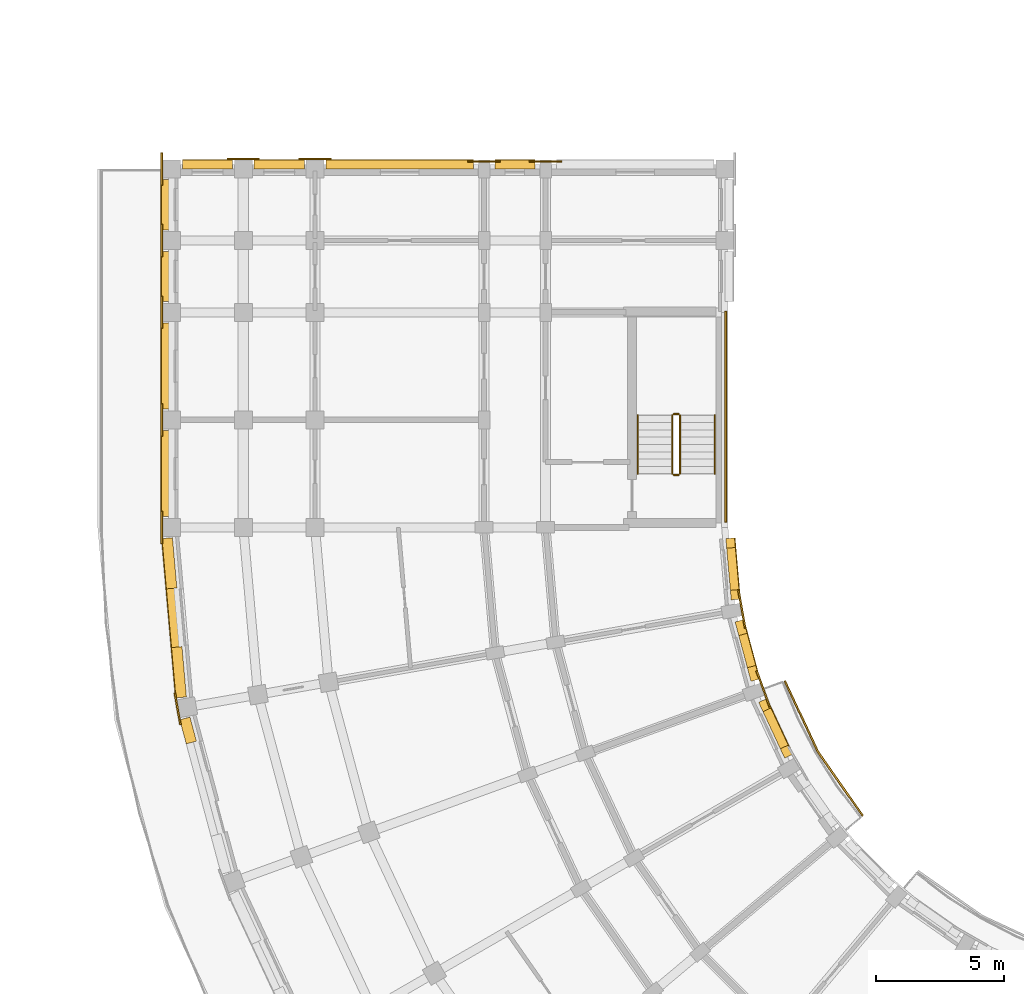
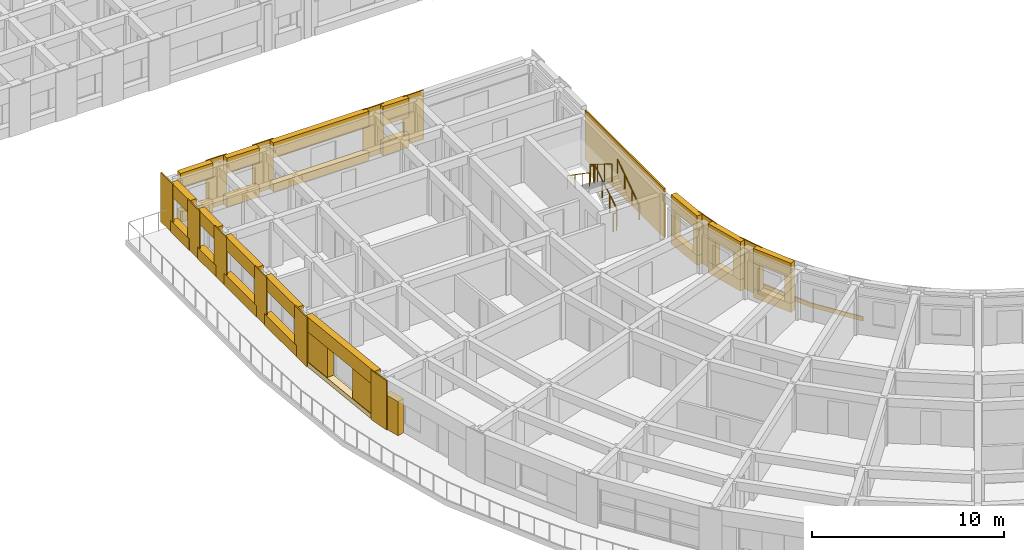
# One storey, part 44 of 57: 47 coverings, 6 railings.
"""IFC4 building model written with IfcOpenShell, lengths in metres."""

from ifc_helpers import new_model, si_unit, direction, frame, origin, origin_2d, place, context, subcontext, project, spatial, polyline, circle, outline, extrude, material, layer, layer_set, type_object, element, save


model = new_model("IFC4")

# Units and contexts
model_context = context("Model", 3, precision=1e-05, world=origin(), true_north=direction((0.0, 1.0)))
body_context = subcontext(model_context, "Body", "Model", "MODEL_VIEW")
ifc_project = project(units=[si_unit("LENGTHUNIT", "METRE"), si_unit("AREAUNIT", "SQUARE_METRE"), si_unit("VOLUMEUNIT", "CUBIC_METRE"), si_unit("PLANEANGLEUNIT", "RADIAN"), si_unit("MASSUNIT", "GRAM", prefix="KILO")], contexts=[model_context])

# Site, building, storey
site_placement = place(None, origin())
site = spatial("IfcSite", under=ifc_project, at=site_placement, CompositionType="ELEMENT")
building_placement = place(site_placement, origin())
building = spatial("IfcBuilding", under=site, at=building_placement, Name="Kiranvali Square Residences", CompositionType="ELEMENT")
storey_placement = place(building_placement, frame((0.0, 0.0, 24.449951171875)))
storey = spatial("IfcBuildingStorey", under=building, at=storey_placement, Name="L07", CompositionType="ELEMENT", Elevation=24.449951171875)

# Coverings
ifc_material_1 = material(Name="Carved Porbandar limestone classical entablature and cornice", Category="masonry")
ifc_layer_1 = layer(ifc_material_1, 0.06201171875)
ifc_layer_set_1 = layer_set([ifc_layer_1], Name="Carved Porbandar limestone classical entablature and cornice")
covering_type_1 = type_object("IfcCoveringType", Name="COV-CLAD-GBAL", PredefinedType="CLADDING", material=ifc_layer_set_1)
covering_1_placement = place(storey_placement, frame((0.0, 0.0, -0.219970703125)))
element("IfcCovering", 1, at=covering_1_placement, inside=storey, type_object=covering_type_1, Name="Block C L07 garden balcony limestone fascia 2", PredefinedType="CLADDING", context=body_context, shape_type="SweptSolid", body=[
    extrude(outline(polyline([(34.8095703125, 36.964111328125), (33.061767578125, 39.4599609375), (31.774169921875, 42.221435546875), (31.710205078125, 42.1982421875), (33.0029296875, 39.426025390625), (34.757568359375, 36.92041015625), (34.8095703125, 36.964111328125)])), origin(), (0.0, 0.0, 1.0), 0.27001953125),
])
ifc_material_2 = material(Name="Honed Porbandar limestone ashlar facade cladding", Category="masonry")
ifc_layer_2 = layer(ifc_material_2, 0.3798828125)
ifc_layer_set_2 = layer_set([ifc_layer_2], Name="Honed Porbandar limestone ashlar facade cladding")
covering_type_2 = type_object("IfcCoveringType", Name="COV-CLAD-JAMB", PredefinedType="CLADDING", material=ifc_layer_set_2)
covering_2_placement = place(storey_placement, origin())
element("IfcCovering", 2, at=covering_2_placement, inside=storey, type_object=covering_type_2, Name="L07 deep limestone window jamb reveal C-L07-CRV-07.R", PredefinedType="CLADDING", context=body_context, shape_type="SweptSolid", body=[
    extrude(outline(polyline([(8.7685546875, 39.8583984375), (8.516845703125, 40.798095703125), (8.121337890625, 40.692138671875), (8.373046875, 39.752197265625), (8.7685546875, 39.8583984375)])), origin(), (0.0, 0.0, 1.0), 2.179931640625),
])
covering_3_placement = place(storey_placement, frame((0.0, 0.0, 0.31201171875)))
element("IfcCovering", 3, at=covering_3_placement, inside=storey, type_object=covering_type_2, Name="L07 deep limestone window jamb reveal C-L07-CRV-08.L", PredefinedType="CLADDING", context=body_context, shape_type="SweptSolid", body=[
    extrude(outline(polyline([(8.37841796875, 41.5830078125), (8.20654296875, 43.546630859375), (7.798583984375, 43.510986328125), (7.970458984375, 41.54736328125), (8.37841796875, 41.5830078125)])), origin(), (0.0, 0.0, 1.0), 1.900146484375),
])
covering_4_placement = place(storey_placement, frame((0.0, 0.0, 0.31201171875)))
element("IfcCovering", 4, at=covering_4_placement, inside=storey, type_object=covering_type_2, Name="L07 deep limestone window jamb reveal C-L07-CRV-08.R", PredefinedType="CLADDING", context=body_context, shape_type="SweptSolid", body=[
    extrude(outline(polyline([(8.006103515625, 45.837890625), (7.83447265625, 47.801513671875), (7.426513671875, 47.765869140625), (7.59814453125, 45.80224609375), (8.006103515625, 45.837890625)])), origin(), (0.0, 0.0, 1.0), 1.900146484375),
])
covering_5_placement = place(storey_placement, frame((0.0, 0.0, 0.572021484375)))
element("IfcCovering", 5, at=covering_5_placement, inside=storey, type_object=covering_type_2, Name="L07 deep limestone window jamb reveal C-L07-GDN-06.L", PredefinedType="CLADDING", context=body_context, shape_type="SweptSolid", body=[
    extrude(outline(polyline([(32.041015625, 39.342529296875), (31.87255859375, 39.70361328125), (31.564697265625, 39.56005859375), (31.733154296875, 39.198974609375), (32.041015625, 39.342529296875)])), origin(), (0.0, 0.0, 1.0), 1.650146484375),
])
covering_6_placement = place(storey_placement, frame((0.0, 0.0, 0.572021484375)))
element("IfcCovering", 6, at=covering_6_placement, inside=storey, type_object=covering_type_2, Name="L07 deep limestone window jamb reveal C-L07-GDN-06.R", PredefinedType="CLADDING", context=body_context, shape_type="SweptSolid", body=[
    extrude(outline(polyline([(31.1962890625, 41.15380859375), (31.02783203125, 41.514892578125), (30.72021484375, 41.37158203125), (30.888671875, 41.01025390625), (31.1962890625, 41.15380859375)])), origin(), (0.0, 0.0, 1.0), 1.650146484375),
])
covering_7_placement = place(storey_placement, frame((0.0, 0.0, 0.72216796875)))
element("IfcCovering", 7, at=covering_7_placement, inside=storey, type_object=covering_type_2, Name="L07 deep limestone window jamb reveal C-L07-GDN-07.L", PredefinedType="CLADDING", context=body_context, shape_type="SweptSolid", body=[
    extrude(outline(polyline([(30.748291015625, 42.282958984375), (30.6064453125, 42.812744140625), (30.2783203125, 42.72509765625), (30.42041015625, 42.195068359375), (30.748291015625, 42.282958984375)])), origin(), (0.0, 0.0, 1.0), 1.5),
])
covering_8_placement = place(storey_placement, frame((0.0, 0.0, 0.72216796875)))
element("IfcCovering", 8, at=covering_8_placement, inside=storey, type_object=covering_type_2, Name="L07 deep limestone window jamb reveal C-L07-GDN-07.R", PredefinedType="CLADDING", context=body_context, shape_type="SweptSolid", body=[
    extrude(outline(polyline([(30.269775390625, 44.068603515625), (30.1279296875, 44.598388671875), (29.800048828125, 44.510498046875), (29.94189453125, 43.980712890625), (30.269775390625, 44.068603515625)])), origin(), (0.0, 0.0, 1.0), 1.5),
])
covering_9_placement = place(storey_placement, frame((0.0, 0.0, 0.6220703125)))
element("IfcCovering", 9, at=covering_9_placement, inside=storey, type_object=covering_type_2, Name="L07 deep limestone window jamb reveal C-L07-GDN-08.L", PredefinedType="CLADDING", context=body_context, shape_type="SweptSolid", body=[
    extrude(outline(polyline([(29.986083984375, 45.4033203125), (29.953369140625, 45.775390625), (29.615234375, 45.745849609375), (29.647705078125, 45.373779296875), (29.986083984375, 45.4033203125)])), origin(), (0.0, 0.0, 1.0), 1.60009765625),
])
covering_10_placement = place(storey_placement, frame((0.0, 0.0, 0.6220703125)))
element("IfcCovering", 10, at=covering_10_placement, inside=storey, type_object=covering_type_2, Name="L07 deep limestone window jamb reveal C-L07-GDN-08.R", PredefinedType="CLADDING", context=body_context, shape_type="SweptSolid", body=[
    extrude(outline(polyline([(29.8095703125, 47.419189453125), (29.777099609375, 47.791259765625), (29.43896484375, 47.76171875), (29.471435546875, 47.3896484375), (29.8095703125, 47.419189453125)])), origin(), (0.0, 0.0, 1.0), 1.60009765625),
])
ifc_layer_3 = layer(ifc_material_2, 0.06494140625)
ifc_layer_set_3 = layer_set([ifc_layer_3], Name="Honed Porbandar limestone ashlar facade cladding")
covering_type_3 = type_object("IfcCoveringType", Name="COV-CLAD-PIER", PredefinedType="CLADDING", material=ifc_layer_set_3)
covering_11_placement = place(storey_placement, frame((0.0, 0.0, 0.005126953125)))
element("IfcCovering", 11, at=covering_11_placement, inside=storey, type_object=covering_type_3, Name="L07 Classical limestone corner pilaster CLAD-PR-C-L07-A08", PredefinedType="CLADDING", context=body_context, shape_type="SweptSolid", body=[
    extrude(outline(polyline([(7.892822265625, 41.732421875), (8.111572265625, 40.49169921875), (8.177978515625, 40.50341796875), (7.959228515625, 41.744140625), (7.892822265625, 41.732421875)])), origin(), (0.0, 0.0, 1.0), 3.139892578125),
])
covering_12_placement = place(storey_placement, frame((0.0, 0.0, 0.005126953125)))
element("IfcCovering", 12, at=covering_12_placement, inside=storey, type_object=covering_type_3, Name="L07 Classical limestone corner pilaster CLAD-PR-C-L07-A09", PredefinedType="CLADDING", context=body_context, shape_type="SweptSolid", body=[
    extrude(outline(polyline([(7.382080078125, 48.830078125), (7.382080078125, 47.570068359375), (7.449462890625, 47.570068359375), (7.449462890625, 48.830078125), (7.382080078125, 48.830078125)])), origin(), (0.0, 0.0, 1.0), 3.139892578125),
])
covering_13_placement = place(storey_placement, frame((0.0, 0.0, 0.005126953125)))
element("IfcCovering", 13, at=covering_13_placement, inside=storey, type_object=covering_type_3, Name="L07 Classical limestone pilaster casing CLAD-PR-C-L07-V42", PredefinedType="CLADDING", context=body_context, shape_type="SweptSolid", body=[
    extrude(outline(polyline([(7.449462890625, 51.77001953125), (7.449462890625, 53.030029296875), (7.382080078125, 53.030029296875), (7.382080078125, 51.77001953125), (7.449462890625, 51.77001953125)])), origin(), (0.0, 0.0, 1.0), 3.139892578125),
])
covering_14_placement = place(storey_placement, frame((0.0, 0.0, 0.005126953125)))
element("IfcCovering", 14, at=covering_14_placement, inside=storey, type_object=covering_type_3, Name="L07 Classical limestone pilaster casing CLAD-PR-C-L07-V84", PredefinedType="CLADDING", context=body_context, shape_type="SweptSolid", body=[
    extrude(outline(polyline([(7.449462890625, 55.969970703125), (7.449462890625, 57.22998046875), (7.382080078125, 57.22998046875), (7.382080078125, 55.969970703125), (7.449462890625, 55.969970703125)])), origin(), (0.0, 0.0, 1.0), 3.139892578125),
])
covering_15_placement = place(storey_placement, frame((0.0, 0.0, 0.005126953125)))
element("IfcCovering", 15, at=covering_15_placement, inside=storey, type_object=covering_type_3, Name="L07 Classical limestone pilaster casing CLAD-PR-C-L07-V112", PredefinedType="CLADDING", context=body_context, shape_type="SweptSolid", body=[
    extrude(outline(polyline([(7.449462890625, 58.77001953125), (7.449462890625, 60.030029296875), (7.382080078125, 60.030029296875), (7.382080078125, 58.77001953125), (7.449462890625, 58.77001953125)])), origin(), (0.0, 0.0, 1.0), 3.139892578125),
])
covering_16_placement = place(storey_placement, frame((0.0, 0.0, 0.005126953125)))
element("IfcCovering", 16, at=covering_16_placement, inside=storey, type_object=covering_type_3, Name="L07 Classical limestone pilaster casing CLAD-PR-C-L07-V140", PredefinedType="CLADDING", context=body_context, shape_type="SweptSolid", body=[
    extrude(outline(polyline([(7.449462890625, 61.570068359375), (7.449462890625, 62.830078125), (7.382080078125, 62.830078125), (7.382080078125, 61.570068359375), (7.449462890625, 61.570068359375)])), origin(), (0.0, 0.0, 1.0), 3.139892578125),
])
covering_17_placement = place(storey_placement, frame((0.0, 0.0, 0.005126953125)))
element("IfcCovering", 17, at=covering_17_placement, inside=storey, type_object=covering_type_3, Name="Block C L07 Arm 2 stair limestone ashlar cladding", PredefinedType="CLADDING", context=body_context, shape_type="SweptSolid", body=[
    extrude(outline(polyline([(29.47998046875, 48.39990234375), (29.47998046875, 56.64990234375), (29.402099609375, 56.64990234375), (29.402099609375, 48.39990234375), (29.47998046875, 48.39990234375)])), origin(), (0.0, 0.0, 1.0), 3.139892578125),
])
ifc_layer_4 = layer(ifc_material_2, 0.050048828125)
ifc_layer_set_4 = layer_set([ifc_layer_4], Name="Honed Porbandar limestone ashlar facade cladding")
covering_type_4 = type_object("IfcCoveringType", Name="COV-CLAD-PIER-IN", PredefinedType="CLADDING", material=ifc_layer_set_4)
covering_18_placement = place(storey_placement, frame((0.0, 0.0, 0.005126953125)))
element("IfcCovering", 18, at=covering_18_placement, inside=storey, type_object=covering_type_4, Name="L07 Classical garden courtyard pilaster CLAD-PRIN-C-L07-A07", PredefinedType="CLADDING", context=body_context, shape_type="SweptSolid", body=[
    extrude(outline(polyline([(31.18310546875, 41.208251953125), (30.670166015625, 42.61767578125), (30.606689453125, 42.5947265625), (31.11962890625, 41.18505859375), (31.18310546875, 41.208251953125)])), origin(), (0.0, 0.0, 1.0), 3.139892578125),
])
covering_19_placement = place(storey_placement, frame((0.0, 0.0, 0.005126953125)))
element("IfcCovering", 19, at=covering_19_placement, inside=storey, type_object=covering_type_4, Name="L07 Classical garden courtyard pilaster CLAD-PRIN-C-L07-A08", PredefinedType="CLADDING", context=body_context, shape_type="SweptSolid", body=[
    extrude(outline(polyline([(30.2275390625, 44.269287109375), (29.967041015625, 45.74658203125), (29.900634765625, 45.73486328125), (30.1611328125, 44.257568359375), (30.2275390625, 44.269287109375)])), origin(), (0.0, 0.0, 1.0), 3.139892578125),
])
ifc_layer_5 = layer(ifc_material_2, 0.054931640625)
ifc_layer_set_5 = layer_set([ifc_layer_5], Name="Honed Porbandar limestone ashlar facade cladding")
covering_type_5 = type_object("IfcCoveringType", Name="COV-CLAD-PIER-UP", PredefinedType="CLADDING", material=ifc_layer_set_5)
covering_20_placement = place(storey_placement, frame((0.0, 0.0, 0.005126953125)))
element("IfcCovering", 20, at=covering_20_placement, inside=storey, type_object=covering_type_5, Name="L07 Classical limestone pilaster casing CLAD-PRA2E-C-L07-R258", PredefinedType="CLADDING", context=body_context, shape_type="SweptSolid", body=[
    extrude(outline(polyline([(23.030029296875, 62.51806640625), (21.77001953125, 62.51806640625), (21.77001953125, 62.450439453125), (23.030029296875, 62.450439453125), (23.030029296875, 62.51806640625)])), origin(), (0.0, 0.0, 1.0), 3.139892578125),
])
covering_21_placement = place(storey_placement, frame((0.0, 0.0, 0.005126953125)))
element("IfcCovering", 21, at=covering_21_placement, inside=storey, type_object=covering_type_5, Name="L07 Classical limestone pilaster casing CLAD-PRA2E-C-L07-R282", PredefinedType="CLADDING", context=body_context, shape_type="SweptSolid", body=[
    extrude(outline(polyline([(20.6298828125, 62.51806640625), (19.3701171875, 62.51806640625), (19.3701171875, 62.450439453125), (20.6298828125, 62.450439453125), (20.6298828125, 62.51806640625)])), origin(), (0.0, 0.0, 1.0), 3.139892578125),
])
covering_22_placement = place(storey_placement, frame((0.0, 0.0, 0.005126953125)))
element("IfcCovering", 22, at=covering_22_placement, inside=storey, type_object=covering_type_5, Name="L07 Classical limestone pilaster casing CLAD-PRA2E-C-L07-R348", PredefinedType="CLADDING", context=body_context, shape_type="SweptSolid", body=[
    extrude(outline(polyline([(14.030029296875, 62.617919921875), (12.77001953125, 62.617919921875), (12.77001953125, 62.550537109375), (14.030029296875, 62.550537109375), (14.030029296875, 62.617919921875)])), origin(), (0.0, 0.0, 1.0), 3.139892578125),
])
covering_23_placement = place(storey_placement, frame((0.0, 0.0, 0.005126953125)))
element("IfcCovering", 23, at=covering_23_placement, inside=storey, type_object=covering_type_5, Name="L07 Classical limestone pilaster casing CLAD-PRA2E-C-L07-R376", PredefinedType="CLADDING", context=body_context, shape_type="SweptSolid", body=[
    extrude(outline(polyline([(11.22998046875, 62.617919921875), (9.969970703125, 62.617919921875), (9.969970703125, 62.550537109375), (11.22998046875, 62.550537109375), (11.22998046875, 62.617919921875)])), origin(), (0.0, 0.0, 1.0), 3.139892578125),
])
ifc_layer_6 = layer(ifc_material_2, 0.360107421875)
ifc_layer_set_6 = layer_set([ifc_layer_6], Name="Honed Porbandar limestone ashlar facade cladding")
covering_type_6 = type_object("IfcCoveringType", Name="COV-CLAD-WALL", PredefinedType="CLADDING", material=ifc_layer_set_6)
covering_24_placement = place(storey_placement, frame((0.0, 0.0, 2.212158203125)))
element("IfcCovering", 24, at=covering_24_placement, inside=storey, type_object=covering_type_6, Name="L07 light limestone spandrel lintel C-L07-CRV-08", PredefinedType="CLADDING", context=body_context, shape_type="SweptSolid", body=[
    extrude(outline(polyline([(8.37841796875, 41.5830078125), (7.83447265625, 47.801513671875), (7.426513671875, 47.765869140625), (7.970458984375, 41.54736328125), (8.37841796875, 41.5830078125)])), origin(), (0.0, 0.0, 1.0), 0.932861328125),
])
covering_25_placement = place(storey_placement, frame((0.0, 0.0, 0.005126953125)))
element("IfcCovering", 25, at=covering_25_placement, inside=storey, type_object=covering_type_6, Name="L07 limestone window sill apron C-L07-CRV-08", PredefinedType="CLADDING", context=body_context, shape_type="SweptSolid", body=[
    extrude(outline(polyline([(8.37841796875, 41.5830078125), (7.83447265625, 47.801513671875), (7.396484375, 47.76318359375), (7.940673828125, 41.544677734375), (8.37841796875, 41.5830078125)])), origin(), (0.0, 0.0, 1.0), 0.306884765625),
])
covering_26_placement = place(storey_placement, frame((0.0, 0.0, 2.22216796875)))
element("IfcCovering", 26, at=covering_26_placement, inside=storey, type_object=covering_type_6, Name="L07 light limestone spandrel lintel C-L07-GDN-06", PredefinedType="CLADDING", context=body_context, shape_type="SweptSolid", body=[
    extrude(outline(polyline([(32.041015625, 39.342529296875), (31.02783203125, 41.514892578125), (30.72021484375, 41.37158203125), (31.733154296875, 39.198974609375), (32.041015625, 39.342529296875)])), origin(), (0.0, 0.0, 1.0), 0.9228515625),
])
covering_27_placement = place(storey_placement, frame((0.0, 0.0, 2.22216796875)))
element("IfcCovering", 27, at=covering_27_placement, inside=storey, type_object=covering_type_6, Name="L07 light limestone spandrel lintel C-L07-GDN-07", PredefinedType="CLADDING", context=body_context, shape_type="SweptSolid", body=[
    extrude(outline(polyline([(30.748291015625, 42.282958984375), (30.1279296875, 44.598388671875), (29.800048828125, 44.510498046875), (30.42041015625, 42.195068359375), (30.748291015625, 42.282958984375)])), origin(), (0.0, 0.0, 1.0), 0.9228515625),
])
covering_28_placement = place(storey_placement, frame((0.0, 0.0, 2.22216796875)))
element("IfcCovering", 28, at=covering_28_placement, inside=storey, type_object=covering_type_6, Name="L07 light limestone spandrel lintel C-L07-GDN-08", PredefinedType="CLADDING", context=body_context, shape_type="SweptSolid", body=[
    extrude(outline(polyline([(29.986083984375, 45.4033203125), (29.777099609375, 47.791259765625), (29.43896484375, 47.76171875), (29.647705078125, 45.373779296875), (29.986083984375, 45.4033203125)])), origin(), (0.0, 0.0, 1.0), 0.9228515625),
])
covering_29_placement = place(storey_placement, frame((0.0, 0.0, 2.280029296875)))
element("IfcCovering", 29, at=covering_29_placement, inside=storey, type_object=covering_type_6, Name="L07 light limestone spandrel lintel C-L07-A2O-0", PredefinedType="CLADDING", context=body_context, shape_type="SweptSolid", body=[
    extrude(outline(polyline([(7.799560546875, 48.6201171875), (7.799560546875, 51.97998046875), (7.39990234375, 51.97998046875), (7.39990234375, 48.6201171875), (7.799560546875, 48.6201171875)])), origin(), (0.0, 0.0, 1.0), 0.864990234375),
])
covering_30_placement = place(storey_placement, frame((0.0, 0.0, 0.005126953125)))
element("IfcCovering", 30, at=covering_30_placement, inside=storey, type_object=covering_type_6, Name="L07 limestone window sill apron C-L07-A2O-0", PredefinedType="CLADDING", context=body_context, shape_type="SweptSolid", body=[
    extrude(outline(polyline([(7.799560546875, 48.6201171875), (7.799560546875, 51.97998046875), (7.3701171875, 51.97998046875), (7.3701171875, 48.6201171875), (7.799560546875, 48.6201171875)])), origin(), (0.0, 0.0, 1.0), 0.724853515625),
])
covering_31_placement = place(storey_placement, frame((0.0, 0.0, 2.280029296875)))
element("IfcCovering", 31, at=covering_31_placement, inside=storey, type_object=covering_type_6, Name="L07 light limestone spandrel lintel C-L07-A2O-1", PredefinedType="CLADDING", context=body_context, shape_type="SweptSolid", body=[
    extrude(outline(polyline([(7.799560546875, 52.820068359375), (7.799560546875, 56.179931640625), (7.39990234375, 56.179931640625), (7.39990234375, 52.820068359375), (7.799560546875, 52.820068359375)])), origin(), (0.0, 0.0, 1.0), 0.864990234375),
])
covering_32_placement = place(storey_placement, frame((0.0, 0.0, 0.005126953125)))
element("IfcCovering", 32, at=covering_32_placement, inside=storey, type_object=covering_type_6, Name="L07 limestone window sill apron C-L07-A2O-1", PredefinedType="CLADDING", context=body_context, shape_type="SweptSolid", body=[
    extrude(outline(polyline([(7.799560546875, 52.820068359375), (7.799560546875, 56.179931640625), (7.3701171875, 56.179931640625), (7.3701171875, 52.820068359375), (7.799560546875, 52.820068359375)])), origin(), (0.0, 0.0, 1.0), 0.724853515625),
])
covering_33_placement = place(storey_placement, frame((0.0, 0.0, 2.280029296875)))
element("IfcCovering", 33, at=covering_33_placement, inside=storey, type_object=covering_type_6, Name="L07 light limestone spandrel lintel C-L07-A2O-2", PredefinedType="CLADDING", context=body_context, shape_type="SweptSolid", body=[
    extrude(outline(polyline([(7.799560546875, 57.02001953125), (7.799560546875, 58.97998046875), (7.39990234375, 58.97998046875), (7.39990234375, 57.02001953125), (7.799560546875, 57.02001953125)])), origin(), (0.0, 0.0, 1.0), 0.864990234375),
])
covering_34_placement = place(storey_placement, frame((0.0, 0.0, 0.005126953125)))
element("IfcCovering", 34, at=covering_34_placement, inside=storey, type_object=covering_type_6, Name="L07 limestone window sill apron C-L07-A2O-2", PredefinedType="CLADDING", context=body_context, shape_type="SweptSolid", body=[
    extrude(outline(polyline([(7.799560546875, 57.02001953125), (7.799560546875, 58.97998046875), (7.3701171875, 58.97998046875), (7.3701171875, 57.02001953125), (7.799560546875, 57.02001953125)])), origin(), (0.0, 0.0, 1.0), 0.724853515625),
])
covering_35_placement = place(storey_placement, frame((0.0, 0.0, 2.280029296875)))
element("IfcCovering", 35, at=covering_35_placement, inside=storey, type_object=covering_type_6, Name="L07 light limestone spandrel lintel C-L07-A2O-3", PredefinedType="CLADDING", context=body_context, shape_type="SweptSolid", body=[
    extrude(outline(polyline([(7.799560546875, 59.820068359375), (7.799560546875, 61.780029296875), (7.39990234375, 61.780029296875), (7.39990234375, 59.820068359375), (7.799560546875, 59.820068359375)])), origin(), (0.0, 0.0, 1.0), 0.864990234375),
])
covering_36_placement = place(storey_placement, frame((0.0, 0.0, 0.005126953125)))
element("IfcCovering", 36, at=covering_36_placement, inside=storey, type_object=covering_type_6, Name="L07 limestone window sill apron C-L07-A2O-3", PredefinedType="CLADDING", context=body_context, shape_type="SweptSolid", body=[
    extrude(outline(polyline([(7.799560546875, 59.820068359375), (7.799560546875, 61.780029296875), (7.3701171875, 61.780029296875), (7.3701171875, 59.820068359375), (7.799560546875, 59.820068359375)])), origin(), (0.0, 0.0, 1.0), 0.724853515625),
])
covering_37_placement = place(storey_placement, frame((0.0, 0.0, 1.929931640625)))
element("IfcCovering", 37, at=covering_37_placement, inside=storey, type_object=covering_type_6, Name="L07 light limestone spandrel lintel C-L07-A2END-1", PredefinedType="CLADDING", context=body_context, shape_type="SweptSolid", body=[
    extrude(outline(polyline([(21.97998046875, 62.5400390625), (20.419921875, 62.5400390625), (20.419921875, 62.200439453125), (21.97998046875, 62.200439453125), (21.97998046875, 62.5400390625)])), origin(), (0.0, 0.0, 1.0), 1.215087890625),
])
covering_38_placement = place(storey_placement, frame((0.0, 0.0, 0.005126953125)))
element("IfcCovering", 38, at=covering_38_placement, inside=storey, type_object=covering_type_6, Name="L07 limestone window sill apron C-L07-A2END-1", PredefinedType="CLADDING", context=body_context, shape_type="SweptSolid", body=[
    extrude(outline(polyline([(21.97998046875, 62.570068359375), (20.419921875, 62.570068359375), (20.419921875, 62.200439453125), (21.97998046875, 62.200439453125), (21.97998046875, 62.570068359375)])), origin(), (0.0, 0.0, 1.0), 0.875),
])
covering_39_placement = place(storey_placement, frame((0.0, 0.0, 2.172119140625)))
element("IfcCovering", 39, at=covering_39_placement, inside=storey, type_object=covering_type_6, Name="L07 light limestone spandrel lintel C-L07-A2END-2", PredefinedType="CLADDING", context=body_context, shape_type="SweptSolid", body=[
    extrude(outline(polyline([(19.580078125, 62.5400390625), (13.820068359375, 62.5400390625), (13.820068359375, 62.200439453125), (19.580078125, 62.200439453125), (19.580078125, 62.5400390625)])), origin(), (0.0, 0.0, 1.0), 0.972900390625),
])
covering_40_placement = place(storey_placement, frame((0.0, 0.0, 0.005126953125)))
element("IfcCovering", 40, at=covering_40_placement, inside=storey, type_object=covering_type_6, Name="L07 limestone window sill apron C-L07-A2END-2", PredefinedType="CLADDING", context=body_context, shape_type="SweptSolid", body=[
    extrude(outline(polyline([(19.580078125, 62.570068359375), (13.820068359375, 62.570068359375), (13.820068359375, 62.200439453125), (19.580078125, 62.200439453125), (19.580078125, 62.570068359375)])), origin(), (0.0, 0.0, 1.0), 0.516845703125),
])
covering_41_placement = place(storey_placement, frame((0.0, 0.0, 2.172119140625)))
element("IfcCovering", 41, at=covering_41_placement, inside=storey, type_object=covering_type_6, Name="L07 light limestone spandrel lintel C-L07-A2END-3", PredefinedType="CLADDING", context=body_context, shape_type="SweptSolid", body=[
    extrude(outline(polyline([(12.97998046875, 62.5400390625), (11.02001953125, 62.5400390625), (11.02001953125, 62.200439453125), (12.97998046875, 62.200439453125), (12.97998046875, 62.5400390625)])), origin(), (0.0, 0.0, 1.0), 0.972900390625),
])
covering_42_placement = place(storey_placement, frame((0.0, 0.0, 0.005126953125)))
element("IfcCovering", 42, at=covering_42_placement, inside=storey, type_object=covering_type_6, Name="L07 limestone window sill apron C-L07-A2END-3", PredefinedType="CLADDING", context=body_context, shape_type="SweptSolid", body=[
    extrude(outline(polyline([(12.97998046875, 62.570068359375), (11.02001953125, 62.570068359375), (11.02001953125, 62.200439453125), (12.97998046875, 62.200439453125), (12.97998046875, 62.570068359375)])), origin(), (0.0, 0.0, 1.0), 0.6669921875),
])
covering_43_placement = place(storey_placement, frame((0.0, 0.0, 2.212158203125)))
element("IfcCovering", 43, at=covering_43_placement, inside=storey, type_object=covering_type_6, Name="L07 light limestone spandrel lintel C-L07-A2END-4", PredefinedType="CLADDING", context=body_context, shape_type="SweptSolid", body=[
    extrude(outline(polyline([(10.179931640625, 62.5400390625), (8.219970703125, 62.5400390625), (8.219970703125, 62.200439453125), (10.179931640625, 62.200439453125), (10.179931640625, 62.5400390625)])), origin(), (0.0, 0.0, 1.0), 0.932861328125),
])
covering_44_placement = place(storey_placement, frame((0.0, 0.0, 0.005126953125)))
element("IfcCovering", 44, at=covering_44_placement, inside=storey, type_object=covering_type_6, Name="L07 limestone window sill apron C-L07-A2END-4", PredefinedType="CLADDING", context=body_context, shape_type="SweptSolid", body=[
    extrude(outline(polyline([(10.179931640625, 62.570068359375), (8.219970703125, 62.570068359375), (8.219970703125, 62.200439453125), (10.179931640625, 62.200439453125), (10.179931640625, 62.570068359375)])), origin(), (0.0, 0.0, 1.0), 0.70703125),
])
ifc_layer_7 = layer(ifc_material_2, 0.2900390625)
ifc_layer_set_7 = layer_set([ifc_layer_7], Name="Honed Porbandar limestone ashlar facade cladding")
covering_type_7 = type_object("IfcCoveringType", Name="COV-CLAD-WALL-IN", PredefinedType="CLADDING", material=ifc_layer_set_7)
covering_45_placement = place(storey_placement, frame((0.0, 0.0, 0.005126953125)))
element("IfcCovering", 45, at=covering_45_placement, inside=storey, type_object=covering_type_7, Name="L07 limestone window sill apron C-L07-GDN-06", PredefinedType="CLADDING", context=body_context, shape_type="SweptSolid", body=[
    extrude(outline(polyline([(32.068115234375, 39.355224609375), (31.05517578125, 41.527587890625), (30.72021484375, 41.37158203125), (31.733154296875, 39.198974609375), (32.068115234375, 39.355224609375)])), origin(), (0.0, 0.0, 1.0), 0.56689453125),
])
covering_46_placement = place(storey_placement, frame((0.0, 0.0, 0.005126953125)))
element("IfcCovering", 46, at=covering_46_placement, inside=storey, type_object=covering_type_7, Name="L07 limestone window sill apron C-L07-GDN-07", PredefinedType="CLADDING", context=body_context, shape_type="SweptSolid", body=[
    extrude(outline(polyline([(30.77734375, 42.290771484375), (30.156982421875, 44.606201171875), (29.800048828125, 44.510498046875), (30.42041015625, 42.195068359375), (30.77734375, 42.290771484375)])), origin(), (0.0, 0.0, 1.0), 0.717041015625),
])
covering_47_placement = place(storey_placement, frame((0.0, 0.0, 0.005126953125)))
element("IfcCovering", 47, at=covering_47_placement, inside=storey, type_object=covering_type_7, Name="L07 limestone window sill apron C-L07-GDN-08", PredefinedType="CLADDING", context=body_context, shape_type="SweptSolid", body=[
    extrude(outline(polyline([(30.015869140625, 45.406005859375), (29.806884765625, 47.7939453125), (29.43896484375, 47.76171875), (29.647705078125, 45.373779296875), (30.015869140625, 45.406005859375)])), origin(), (0.0, 0.0, 1.0), 0.616943359375),
])

# Railings
ifc_material_3 = material(Name="Brushed stainless steel tubular handrail", Category="steel")
railing_type_1 = type_object("IfcRailingType", Name="RL-HANDRAIL-900", PredefinedType="HANDRAIL", material=ifc_material_3)
railing_1_placement = place(storey_placement, frame((29.0, 50.300048828125, 0.175048828125)))
element("IfcRailing", 48, at=railing_1_placement, inside=storey, type_object=railing_type_1, Name="L07 ST-C3 stair handrail 1", PredefinedType="HANDRAIL", context=body_context, shape_type="SweptSolid", body=[
    extrude(circle(Radius=0.02392578125, at=origin_2d()), frame((0.0, 0.0, 0.8759765625), z_axis=(0.0, 0.82278801735, 0.568348377763), x_axis=(-1.0, 0.0, 0.0)), (0.0, 0.0, 1.0), 2.77099609375),
    extrude(circle(Radius=0.02099609375, at=origin_2d()), origin(), (0.0, 0.0, 1.0), 0.851806640625),
    extrude(circle(Radius=0.02099609375, at=origin_2d()), frame((0.0, 0.760009765625, 0.52490234375)), (0.0, 0.0, 1.0), 0.851806640625),
    extrude(circle(Radius=0.02099609375, at=origin_2d()), frame((0.0, 1.52001953125, 1.050048828125)), (0.0, 0.0, 1.0), 0.851806640625),
    extrude(circle(Radius=0.02099609375, at=origin_2d()), frame((0.0, 2.280029296875, 1.574951171875)), (0.0, 0.0, 1.0), 0.851806640625),
])
railing_2_placement = place(storey_placement, frame((26.0, 52.580078125, 1.75)))
element("IfcRailing", 49, at=railing_2_placement, inside=storey, type_object=railing_type_1, Name="L07 ST-C3 stair handrail 2", PredefinedType="HANDRAIL", context=body_context, shape_type="SweptSolid", body=[
    extrude(circle(Radius=0.02392578125, at=origin_2d()), frame((0.0, 0.0, 0.8759765625), z_axis=(0.0, -0.82278801735, 0.568348377763), x_axis=(1.0, 0.0, 0.0)), (0.0, 0.0, 1.0), 2.77099609375),
    extrude(circle(Radius=0.02099609375, at=origin_2d()), origin(), (0.0, 0.0, 1.0), 0.851806640625),
    extrude(circle(Radius=0.02099609375, at=origin_2d()), frame((0.0, -0.760009765625, 0.52490234375)), (0.0, 0.0, 1.0), 0.851806640625),
    extrude(circle(Radius=0.02099609375, at=origin_2d()), frame((0.0, -1.52001953125, 1.050048828125)), (0.0, 0.0, 1.0), 0.851806640625),
    extrude(circle(Radius=0.02099609375, at=origin_2d()), frame((0.0, -2.280029296875, 1.574951171875)), (0.0, 0.0, 1.0), 0.851806640625),
])
ifc_material_4 = material(Name="Powder-coated architectural bronze balustrade", Category="steel")
railing_type_2 = type_object("IfcRailingType", Name="RL-ST-GUARD-1200", PredefinedType="GUARDRAIL", material=ifc_material_4)
railing_3_placement = place(storey_placement, frame((27.64990234375, 50.300048828125, 0.175048828125)))
element("IfcRailing", 50, at=railing_3_placement, inside=storey, type_object=railing_type_2, Name="L07 ST-C3 stair guard 1", PredefinedType="GUARDRAIL", context=body_context, shape_type="SweptSolid", body=[
    extrude(circle(Radius=0.02392578125, at=origin_2d()), frame((0.0, 0.0, 1.1259765625), z_axis=(0.0, 0.852190499154, 0.523231643875), x_axis=(-1.0, 0.0, 0.0)), (0.0, 0.0, 1.0), 2.675537109375),
    extrude(circle(Radius=0.02099609375, at=origin_2d()), origin(), (0.0, 0.0, 1.0), 1.101806640625),
    extrude(circle(Radius=0.02099609375, at=origin_2d()), frame((0.0, 0.760009765625, 0.466552734375)), (0.0, 0.0, 1.0), 1.101806640625),
    extrude(circle(Radius=0.02099609375, at=origin_2d()), frame((0.0, 1.52001953125, 0.933349609375)), (0.0, 0.0, 1.0), 1.101806640625),
    extrude(circle(Radius=0.02099609375, at=origin_2d()), frame((0.0, 2.280029296875, 1.39990234375)), (0.0, 0.0, 1.0), 1.101806640625),
])
railing_4_placement = place(storey_placement, frame((27.60009765625, 52.6298828125, 1.574951171875)))
element("IfcRailing", 51, at=railing_4_placement, inside=storey, type_object=railing_type_2, Name="L07 ST-C3 stair guard 2", PredefinedType="GUARDRAIL", context=body_context, shape_type="SweptSolid", body=[
    extrude(circle(Radius=0.02392578125, at=origin_2d()), frame((0.0, 0.0, 1.1259765625), z_axis=(-1.0, 0.0, 0.0), x_axis=(0.0, -1.0, 0.0)), (0.0, 0.0, 1.0), 0.2001953125),
    extrude(circle(Radius=0.02099609375, at=origin_2d()), origin(), (0.0, 0.0, 1.0), 1.101806640625),
    extrude(circle(Radius=0.02099609375, at=origin_2d()), frame((-0.2001953125, 0.0, 0.0)), (0.0, 0.0, 1.0), 1.101806640625),
])
railing_5_placement = place(storey_placement, frame((27.35009765625, 52.580078125, 1.75)))
element("IfcRailing", 52, at=railing_5_placement, inside=storey, type_object=railing_type_2, Name="L07 ST-C3 stair guard 3", PredefinedType="GUARDRAIL", context=body_context, shape_type="SweptSolid", body=[
    extrude(circle(Radius=0.02392578125, at=origin_2d()), frame((0.0, 0.0, 1.1259765625), z_axis=(0.0, -0.852149810458, 0.523297908018), x_axis=(1.0, 0.0, 0.0)), (0.0, 0.0, 1.0), 2.675537109375),
    extrude(circle(Radius=0.02099609375, at=origin_2d()), origin(), (0.0, 0.0, 1.0), 1.101806640625),
    extrude(circle(Radius=0.02099609375, at=origin_2d()), frame((0.0, -0.760009765625, 0.466796875)), (0.0, 0.0, 1.0), 1.101806640625),
    extrude(circle(Radius=0.02099609375, at=origin_2d()), frame((0.0, -1.52001953125, 0.933349609375)), (0.0, 0.0, 1.0), 1.101806640625),
    extrude(circle(Radius=0.02099609375, at=origin_2d()), frame((0.0, -2.280029296875, 1.400146484375)), (0.0, 0.0, 1.0), 1.101806640625),
])
railing_6_placement = place(storey_placement, frame((27.60009765625, 50.25, 0.0)))
element("IfcRailing", 53, at=railing_6_placement, inside=storey, type_object=railing_type_2, Name="L07 ST-C3 stair guard 4", PredefinedType="GUARDRAIL", context=body_context, shape_type="SweptSolid", body=[
    extrude(circle(Radius=0.02392578125, at=origin_2d()), frame((0.0, 0.0, 1.1259765625), z_axis=(-1.0, 0.0, 0.0), x_axis=(0.0, -1.0, 0.0)), (0.0, 0.0, 1.0), 0.2001953125),
    extrude(circle(Radius=0.02099609375, at=origin_2d()), origin(), (0.0, 0.0, 1.0), 1.101806640625),
    extrude(circle(Radius=0.02099609375, at=origin_2d()), frame((-0.2001953125, 0.0, 0.0)), (0.0, 0.0, 1.0), 1.101806640625),
])

save(model, "model.ifc")
